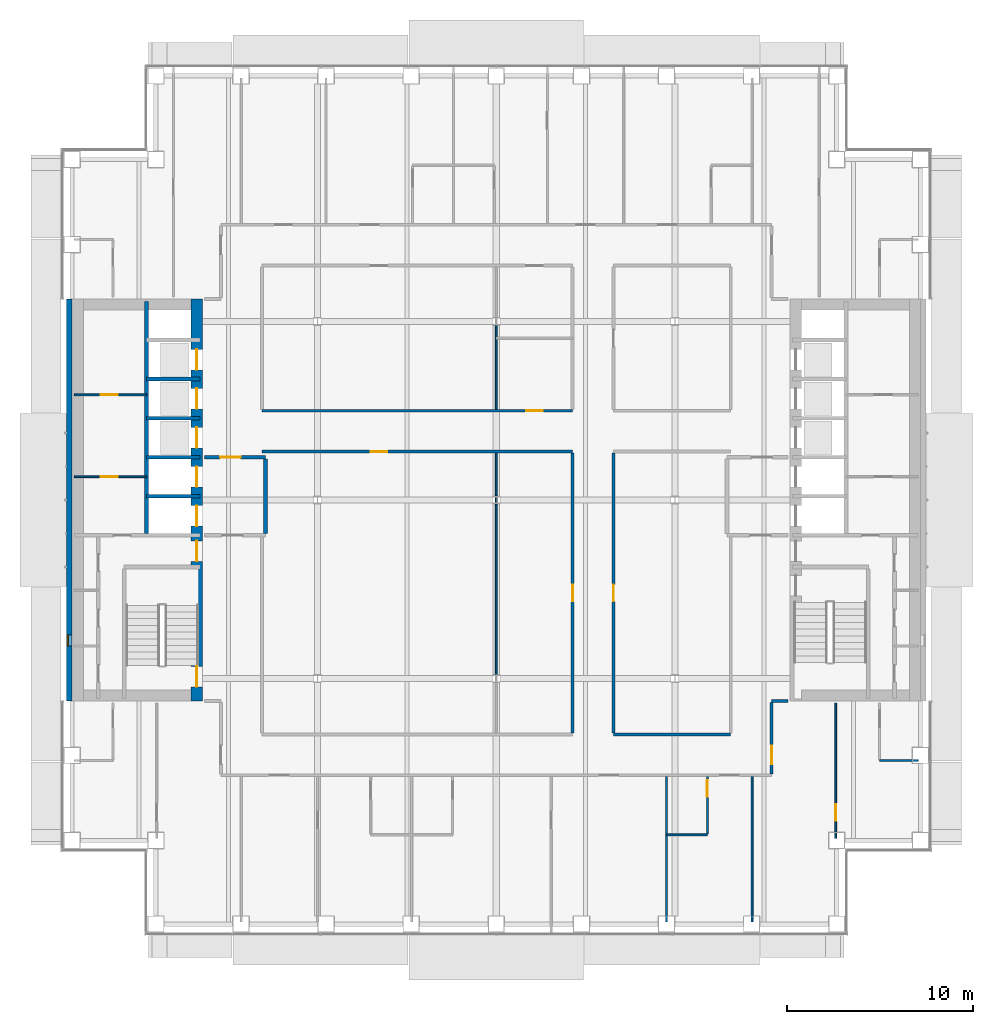
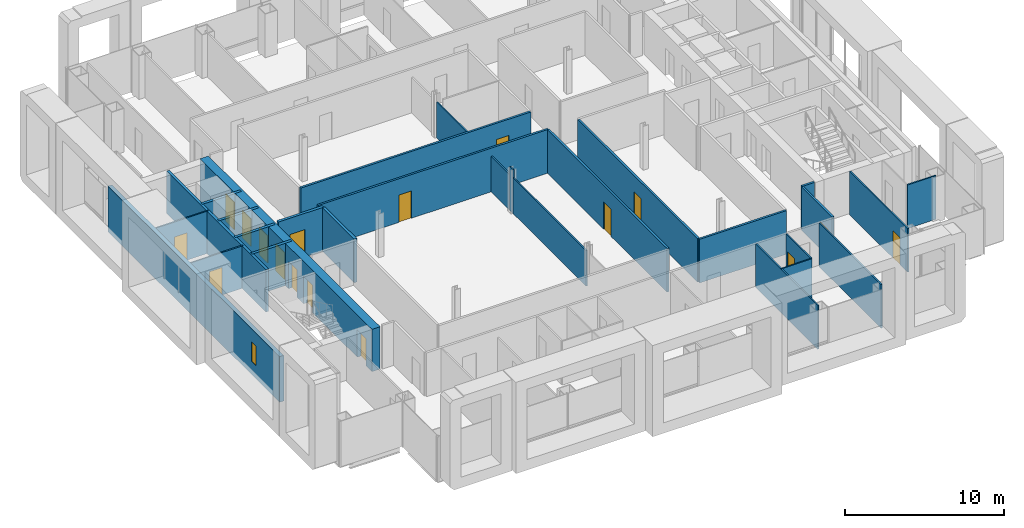
# One storey, part 11 of 20: 28 walls, 17 doors, 1 window, 18 openings.
"""IFC4 building model written with IfcOpenShell, lengths in metres."""

import ifcopenshell
import ifcopenshell.guid

model = None  # the IFC model being written
_history = None  # IfcOwnerHistory: only IFC2X3 demands one
_inside = {}  # id of a spatial element -> (the spatial element, [elements in it])
_under = {}  # id of a project, library or spatial element -> (it, [spatial elements below it])
_declared = {}  # id of a project -> (the project, [libraries it declares])
_typed = {}  # id of a type object -> (the type object, [elements of that type])
_made_of = {}  # id of a material, layer set ... -> (it, [elements and type objects made of it])


def new_model(schema):
    """Start an empty IFC model of exactly this schema.

    Asked for "IFC4X3", IfcOpenShell would pick the latest addendum, in which some entities
    have other attributes; the version numbers below select the first issue.
    IFC2X3 requires an IfcOwnerHistory on every rooted entity: one is made here for all.
    """
    global model, _history
    if schema == "IFC4X3":
        model = ifcopenshell.file(schema_version=(4, 3, 0, 0))
    else:
        model = ifcopenshell.file(schema=schema)
    _inside.clear()
    _under.clear()
    _declared.clear()
    _typed.clear()
    _made_of.clear()
    _history = None
    if model.schema == "IFC2X3":
        org = make("IfcOrganization", Name="unknown")
        user = make(
            "IfcPersonAndOrganization",
            ThePerson=make("IfcPerson", FamilyName="unknown"),
            TheOrganization=org,
        )
        app = make(
            "IfcApplication",
            ApplicationDeveloper=org,
            Version="unknown",
            ApplicationFullName="unknown",
            ApplicationIdentifier="unknown",
        )
        _history = make(
            "IfcOwnerHistory",
            OwningUser=user,
            OwningApplication=app,
            ChangeAction="ADDED",
            CreationDate=0,
        )
    return model


def make(cls, **values):
    """One entity of the class cls with the attributes given. An attribute that is None is left unset."""
    return model.create_entity(
        cls, **{name: value for name, value in values.items() if value is not None}
    )


def rooted(cls, **values):
    """An entity with a GlobalId (a new one), such as an element, a storey or a relation."""
    return make(cls, GlobalId=ifcopenshell.guid.new(), OwnerHistory=_history, **values)


def si_unit(unit_type, name, prefix=None):
    """IfcSIUnit, for example si_unit("LENGTHUNIT", "METRE", prefix="MILLI")."""
    return make("IfcSIUnit", UnitType=unit_type, Prefix=prefix, Name=name)


def assignment(units):
    """IfcUnitAssignment: the units of a project."""
    return None if units is None else make("IfcUnitAssignment", Units=units)


def point(xyz):
    """IfcCartesianPoint."""
    return None if xyz is None else make("IfcCartesianPoint", Coordinates=xyz)


def direction(xyz):
    """IfcDirection."""
    return None if xyz is None else make("IfcDirection", DirectionRatios=xyz)


def frame(location, z_axis=None, x_axis=None):
    """IfcAxis2Placement3D, a coordinate frame: its origin and axes. An axis left out is left unset."""
    return make(
        "IfcAxis2Placement3D",
        Location=point(location),
        Axis=direction(z_axis),
        RefDirection=direction(x_axis),
    )


def frame_2d(location, x_axis=None):
    """IfcAxis2Placement2D, a coordinate frame in the plane: its origin and x axis."""
    return make(
        "IfcAxis2Placement2D", Location=point(location), RefDirection=direction(x_axis)
    )


def origin():
    """The frame at (0, 0, 0) with its axes left unset."""
    return frame((0.0, 0.0, 0.0))


def place(relative_to, where):
    """IfcLocalPlacement: puts the frame where relative to a parent placement (None: the world)."""
    return make(
        "IfcLocalPlacement", PlacementRelTo=relative_to, RelativePlacement=where
    )


def context(
    kind, dimensions, precision=None, world=None, true_north=None, identifier=None
):
    """IfcGeometricRepresentationContext, for example the 3D "Model" context."""
    return make(
        "IfcGeometricRepresentationContext",
        ContextIdentifier=identifier,
        ContextType=kind,
        CoordinateSpaceDimension=dimensions,
        Precision=precision,
        WorldCoordinateSystem=world,
        TrueNorth=true_north,
    )


def subcontext(parent, identifier, kind, view, scale=None):
    """IfcGeometricRepresentationSubContext, for example "Body" below "Model"."""
    return make(
        "IfcGeometricRepresentationSubContext",
        ContextIdentifier=identifier,
        ContextType=kind,
        ParentContext=parent,
        TargetScale=scale,
        TargetView=view,
    )


def project(units=None, contexts=None):
    """IfcProject with its units and contexts."""
    return rooted(
        "IfcProject",
        Name="project",
        RepresentationContexts=contexts,
        UnitsInContext=assignment(units),
    )


def spatial(cls, under=None, at=None, **own):
    """A site, building, storey or space (cls), placed at a placement, below another one or the project."""
    s = rooted(cls, ObjectPlacement=at, **own)
    if under is not None:
        _under.setdefault(under.id(), (under, []))[1].append(s)
    return s


def profile(cls, at=None, kind="AREA", **sizes):
    """A parametric profile (cls). Its sizes go by their IFC names, for example OverallWidth=200.0."""
    return make(cls, ProfileType=kind, Position=at, **sizes)


def rectangle(**sizes):
    """IfcRectangleProfileDef."""
    return profile("IfcRectangleProfileDef", **sizes)


def extrude(swept, where, along, depth):
    """IfcExtrudedAreaSolid: the profile swept, set in the frame where, extruded along a direction by depth."""
    return make(
        "IfcExtrudedAreaSolid",
        SweptArea=swept,
        Position=where,
        ExtrudedDirection=direction(along),
        Depth=depth,
    )


def shape(context_of_items, identifier, shape_type, items):
    """IfcShapeRepresentation: the items that make up one representation, for example the "Body"."""
    return make(
        "IfcShapeRepresentation",
        ContextOfItems=context_of_items,
        RepresentationIdentifier=identifier,
        RepresentationType=shape_type,
        Items=items,
    )


def material(Name=None, Category=None):
    """IfcMaterial."""
    return make("IfcMaterial", Name=Name, Category=Category)


def layer(
    of_material, thickness, ventilated=None, Name=None, Category=None, Priority=None
):
    """IfcMaterialLayer: one layer of a wall or slab, of a material (None: an air gap)."""
    return make(
        "IfcMaterialLayer",
        Material=of_material,
        LayerThickness=thickness,
        IsVentilated=ventilated,
        Name=Name,
        Category=Category,
        Priority=Priority,
    )


def layer_set(layers, Name=None):
    """IfcMaterialLayerSet."""
    return make("IfcMaterialLayerSet", MaterialLayers=layers, LayerSetName=Name)


def made_of(thing, what):
    """Note that an element or type object is made of a material, layer set ...; save() writes the relation."""
    if what is not None:
        _made_of.setdefault(what.id(), (what, []))[1].append(thing)
    return thing


def type_object(cls, material=None, **own):
    """A type object (cls), such as IfcWallType, which elements share."""
    return made_of(rooted(cls, **own), material)


def element(
    cls,
    number,
    at=None,
    inside=None,
    cuts=None,
    type_object=None,
    material=None,
    context=None,
    identifier="Body",
    shape_type=None,
    held_by="IfcProductDefinitionShape",
    body=None,
    shapes=None,
    **own,
):
    """One element of the class cls, such as IfcWall. Its Tag is "e" and its number.

    at: its placement. inside: the storey or other place that contains it. cuts: it is an
    opening in that element (IfcRelVoidsElement). A single representation is given by context,
    identifier, shape_type and body (its items); several are given by shapes. held_by: the class
    of the entity that holds the representations. save() writes the other relations.
    """
    e = rooted(cls, Tag="e%d" % number, ObjectPlacement=at, **own)
    if body is not None:
        shapes = [shape(context, identifier, shape_type, body)]
    if shapes is not None:
        e.Representation = make(held_by, Representations=shapes)
    if inside is not None:
        _inside.setdefault(inside.id(), (inside, []))[1].append(e)
    if cuts is not None:
        rooted(
            "IfcRelVoidsElement", RelatingBuildingElement=cuts, RelatedOpeningElement=e
        )
    if type_object is not None:
        _typed.setdefault(type_object.id(), (type_object, []))[1].append(e)
    return made_of(e, material)


def fill(opening, filler):
    """IfcRelFillsElement: the door or window that sits in an opening."""
    return rooted(
        "IfcRelFillsElement",
        RelatingOpeningElement=opening,
        RelatedBuildingElement=filler,
    )


def aggregate(whole, parts):
    """IfcRelAggregates: a whole, such as a stair, and the parts it consists of."""
    return rooted("IfcRelAggregates", RelatingObject=whole, RelatedObjects=parts)


def save(model, path):
    """Write the relations noted so far, then the file.

    IfcRelAggregates (storeys below a building ...), IfcRelContainedInSpatialStructure (elements
    in a storey), IfcRelDefinesByType, IfcRelAssociatesMaterial and IfcRelDeclares: one each for
    every whole, place, type object, material and project.
    """
    for whole, parts in _under.values():
        aggregate(whole, parts)
    for where, things in _inside.values():
        rooted(
            "IfcRelContainedInSpatialStructure",
            RelatedElements=things,
            RelatingStructure=where,
        )
    for kind, things in _typed.values():
        rooted("IfcRelDefinesByType", RelatedObjects=things, RelatingType=kind)
    for what, things in _made_of.values():
        rooted("IfcRelAssociatesMaterial", RelatedObjects=things, RelatingMaterial=what)
    for by, libraries in _declared.values():
        rooted("IfcRelDeclares", RelatingContext=by, RelatedDefinitions=libraries)
    model.write(path)


model = new_model("IFC4")

# Units and contexts
model_context = context("Model", 3, precision=1e-05, world=origin(), true_north=direction((0.0, 1.0)))
body_context = subcontext(model_context, "Body", "Model", "MODEL_VIEW")
ifc_project = project(units=[si_unit("LENGTHUNIT", "METRE"), si_unit("AREAUNIT", "SQUARE_METRE"), si_unit("VOLUMEUNIT", "CUBIC_METRE"), si_unit("PLANEANGLEUNIT", "RADIAN"), si_unit("MASSUNIT", "GRAM", prefix="KILO")], contexts=[model_context])

# Site, building, storey
site_placement = place(None, origin())
site = spatial("IfcSite", under=ifc_project, at=site_placement, CompositionType="ELEMENT")
building_placement = place(site_placement, origin())
building = spatial("IfcBuilding", under=site, at=building_placement, Name="Cobrizo Arcos Hotel Tower", CompositionType="ELEMENT")
storey_placement = place(building_placement, frame((0.0, 0.0, 110.0)))
storey = spatial("IfcBuildingStorey", under=building, at=storey_placement, Name="L27", CompositionType="ELEMENT", Elevation=110.0)

# Walls
ifc_material_1 = material(Name="Gypsum board partition")
ifc_layer_1 = layer(ifc_material_1, 0.14990234375)
ifc_layer_set_1 = layer_set([ifc_layer_1], Name="Corridor wall EI 60 150")
wall_type_1 = type_object("IfcWallType", Name="Corridor wall EI 60 150", PredefinedType="PARTITIONING", material=ifc_layer_set_1)
wall_1_placement = place(storey_placement, frame((6.300048828125, -12.60009765625, 0.0), z_axis=(0.0, 0.0, 1.0), x_axis=(1.0, 0.0, 0.0)))
element("IfcWall", 1, at=wall_1_placement, inside=storey, type_object=wall_type_1, Name="Partition 007", PredefinedType="PARTITIONING", context=body_context, shape_type="SweptSolid", body=[
    extrude(rectangle(XDim=6.300048828125, YDim=0.14990234375, at=frame_2d((3.14990234375, 0.0))), origin(), (0.0, 0.0, 1.0), 3.35009765625),
])
wall_2_placement = place(storey_placement, frame((14.800048828125, -10.800048828125, 0.0), z_axis=(0.0, 0.0, 1.0), x_axis=(1.0, 0.0, 0.0)))
element("IfcWall", 2, at=wall_2_placement, inside=storey, type_object=wall_type_1, Name="Partition 009", PredefinedType="PARTITIONING", context=body_context, shape_type="SweptSolid", body=[
    extrude(rectangle(XDim=0.8798828125, YDim=0.14990234375, at=frame_2d((0.43994140625, 0.0))), origin(), (0.0, 0.0, 1.0), 3.35009765625),
])

# Wall, opening, door
wall_3_placement = place(storey_placement, frame((-12.60009765625, 2.60009765625, 0.0), z_axis=(0.0, 0.0, 1.0), x_axis=(1.0, 0.0, 0.0)))
wall_3 = element("IfcWall", 3, at=wall_3_placement, inside=storey, type_object=wall_type_1, Name="Partition 028", PredefinedType="PARTITIONING", context=body_context, shape_type="SweptSolid", body=[
    extrude(rectangle(XDim=16.7001953125, YDim=0.14990234375, at=frame_2d((8.35009765625, 0.0))), origin(), (0.0, 0.0, 1.0), 3.35009765625),
])
opening_1_placement = place(wall_3_placement, frame((5.85009765625, 0.0, 0.0)))
opening_1 = element("IfcOpeningElement", 4, at=opening_1_placement, cuts=wall_3, Name="Opening RD-23", PredefinedType="OPENING", context=body_context, shape_type="SweptSolid", body=[
    extrude(rectangle(XDim=0.89990234375, YDim=2.10009765625, at=frame_2d((0.449951171875, 1.050048828125))), frame((0.0, 0.0869140625, 0.0), z_axis=(0.0, -1.0, 0.0), x_axis=(1.0, 0.0, 0.0)), (0.0, 0.0, 1.0), 0.173828125),
])
ifc_material_2 = material(Name="Timber door leaf", Category="wood")
door_type_1 = type_object("IfcDoorType", Name="Room door FD30 900x2100", OperationType="SINGLE_SWING_LEFT", PredefinedType="DOOR", material=ifc_material_2)
door_1_placement = place(opening_1_placement, origin())
door_1 = element("IfcDoor", 5, at=door_1_placement, inside=storey, type_object=door_type_1, Name="Door RD-23", OperationType="SINGLE_SWING_LEFT", OverallHeight=2.10009765625, OverallWidth=0.89990234375, PredefinedType="DOOR", context=body_context, shape_type="SweptSolid", body=[
    extrude(rectangle(XDim=0.89990234375, YDim=2.10009765625, at=frame_2d((0.449951171875, 1.050048828125))), frame((0.0, 0.02490234375, 0.0), z_axis=(0.0, -1.0, 0.0), x_axis=(1.0, 0.0, 0.0)), (0.0, 0.0, 1.0), 0.050048828125),
])
fill(opening_1, door_1)

wall_4_placement = place(storey_placement, frame((-12.60009765625, 4.800048828125, 0.0), z_axis=(0.0, 0.0, 1.0), x_axis=(1.0, 0.0, 0.0)))
wall_4 = element("IfcWall", 6, at=wall_4_placement, inside=storey, type_object=wall_type_1, Name="Partition 032", PredefinedType="PARTITIONING", context=body_context, shape_type="SweptSolid", body=[
    extrude(rectangle(XDim=16.7001953125, YDim=0.14990234375, at=frame_2d((8.35009765625, 0.0))), origin(), (0.0, 0.0, 1.0), 3.35009765625),
])
opening_2_placement = place(wall_4_placement, frame((14.199951171875, 0.0, 0.0)))
opening_2 = element("IfcOpeningElement", 7, at=opening_2_placement, cuts=wall_4, Name="Opening ED-13", PredefinedType="OPENING", context=body_context, shape_type="SweptSolid", body=[
    extrude(rectangle(XDim=0.89990234375, YDim=2.10009765625, at=frame_2d((0.449951171875, 1.050048828125))), frame((0.0, 0.0869140625, 0.0), z_axis=(0.0, -1.0, 0.0), x_axis=(1.0, 0.0, 0.0)), (0.0, 0.0, 1.0), 0.173828125),
])
door_type_2 = type_object("IfcDoorType", Name="En-suite door 900x2100", OperationType="SINGLE_SWING_LEFT", PredefinedType="DOOR", material=ifc_material_2)
door_2_placement = place(opening_2_placement, origin())
door_2 = element("IfcDoor", 8, at=door_2_placement, inside=storey, type_object=door_type_2, Name="Door ED-13", OperationType="SINGLE_SWING_RIGHT", OverallHeight=2.10009765625, OverallWidth=0.89990234375, PredefinedType="DOOR", context=body_context, shape_type="SweptSolid", body=[
    extrude(rectangle(XDim=0.89990234375, YDim=2.10009765625, at=frame_2d((0.449951171875, 1.050048828125))), frame((0.0, 0.02490234375, 0.0), z_axis=(0.0, -1.0, 0.0), x_axis=(1.0, 0.0, 0.0)), (0.0, 0.0, 1.0), 0.050048828125),
])
fill(opening_2, door_2)

wall_5_placement = place(storey_placement, frame((4.10009765625, -12.52490234375, 0.0), z_axis=(0.0, 0.0, 1.0), x_axis=(0.0, 1.0, 0.0)))
wall_5 = element("IfcWall", 9, at=wall_5_placement, inside=storey, type_object=wall_type_1, Name="Partition 085", PredefinedType="PARTITIONING", context=body_context, shape_type="SweptSolid", body=[
    extrude(rectangle(XDim=15.0498046875, YDim=0.14990234375, at=frame_2d((7.52490234375, 0.0))), origin(), (0.0, 0.0, 1.0), 3.35009765625),
])
opening_3_placement = place(wall_5_placement, frame((7.074951171875, 0.0, 0.0)))
opening_3 = element("IfcOpeningElement", 10, at=opening_3_placement, cuts=wall_5, Name="Opening RD-20", PredefinedType="OPENING", context=body_context, shape_type="SweptSolid", body=[
    extrude(rectangle(XDim=0.89990234375, YDim=2.10009765625, at=frame_2d((0.449951171875, 1.050048828125))), frame((0.0, 0.0869140625, 0.0), z_axis=(0.0, -1.0, 0.0), x_axis=(1.0, 0.0, 0.0)), (0.0, 0.0, 1.0), 0.173828125),
])
door_3_placement = place(opening_3_placement, origin())
door_3 = element("IfcDoor", 11, at=door_3_placement, inside=storey, type_object=door_type_1, Name="Door RD-20", OperationType="SINGLE_SWING_LEFT", OverallHeight=2.10009765625, OverallWidth=0.89990234375, PredefinedType="DOOR", context=body_context, shape_type="SweptSolid", body=[
    extrude(rectangle(XDim=0.89990234375, YDim=2.10009765625, at=frame_2d((0.449951171875, 1.050048828125))), frame((0.0, 0.02490234375, 0.0), z_axis=(0.0, -1.0, 0.0), x_axis=(1.0, 0.0, 0.0)), (0.0, 0.0, 1.0), 0.050048828125),
])
fill(opening_3, door_3)

wall_6_placement = place(storey_placement, frame((6.300048828125, -12.52490234375, 0.0), z_axis=(0.0, 0.0, 1.0), x_axis=(0.0, 1.0, 0.0)))
wall_6 = element("IfcWall", 12, at=wall_6_placement, inside=storey, type_object=wall_type_1, Name="Partition 087", PredefinedType="PARTITIONING", context=body_context, shape_type="SweptSolid", body=[
    extrude(rectangle(XDim=15.0498046875, YDim=0.14990234375, at=frame_2d((7.52490234375, 0.0))), origin(), (0.0, 0.0, 1.0), 3.35009765625),
])
opening_4_placement = place(wall_6_placement, frame((7.074951171875, 0.0, 0.0)))
opening_4 = element("IfcOpeningElement", 13, at=opening_4_placement, cuts=wall_6, Name="Opening RD-21", PredefinedType="OPENING", context=body_context, shape_type="SweptSolid", body=[
    extrude(rectangle(XDim=0.89990234375, YDim=2.10009765625, at=frame_2d((0.449951171875, 1.050048828125))), frame((0.0, 0.0869140625, 0.0), z_axis=(0.0, -1.0, 0.0), x_axis=(1.0, 0.0, 0.0)), (0.0, 0.0, 1.0), 0.173828125),
])
door_4_placement = place(opening_4_placement, origin())
door_4 = element("IfcDoor", 14, at=door_4_placement, inside=storey, type_object=door_type_1, Name="Door RD-21", OperationType="SINGLE_SWING_RIGHT", OverallHeight=2.10009765625, OverallWidth=0.89990234375, PredefinedType="DOOR", context=body_context, shape_type="SweptSolid", body=[
    extrude(rectangle(XDim=0.89990234375, YDim=2.10009765625, at=frame_2d((0.449951171875, 1.050048828125))), frame((0.0, 0.02490234375, 0.0), z_axis=(0.0, -1.0, 0.0), x_axis=(1.0, 0.0, 0.0)), (0.0, 0.0, 1.0), 0.050048828125),
])
fill(opening_4, door_4)

wall_7_placement = place(storey_placement, frame((14.800048828125, -14.72509765625, 0.0), z_axis=(0.0, 0.0, 1.0), x_axis=(0.0, 1.0, 0.0)))
wall_7 = element("IfcWall", 15, at=wall_7_placement, inside=storey, type_object=wall_type_1, Name="Partition 098", PredefinedType="PARTITIONING", context=body_context, shape_type="SweptSolid", body=[
    extrude(rectangle(XDim=3.85009765625, YDim=0.14990234375, at=frame_2d((1.925048828125, 0.0))), origin(), (0.0, 0.0, 1.0), 3.35009765625),
])
opening_5_placement = place(wall_7_placement, frame((0.52490234375, 0.0, 0.0)))
opening_5 = element("IfcOpeningElement", 16, at=opening_5_placement, cuts=wall_7, Name="Opening GD-09", PredefinedType="OPENING", context=body_context, shape_type="SweptSolid", body=[
    extrude(rectangle(XDim=1.0, YDim=2.10009765625, at=frame_2d((0.5, 1.050048828125))), frame((0.0, 0.0869140625, 0.0), z_axis=(0.0, -1.0, 0.0), x_axis=(1.0, 0.0, 0.0)), (0.0, 0.0, 1.0), 0.173828125),
])
door_type_3 = type_object("IfcDoorType", Name="Guest room door FD30S 1000x2100", OperationType="SINGLE_SWING_LEFT", PredefinedType="DOOR", material=ifc_material_2)
door_5_placement = place(opening_5_placement, origin())
door_5 = element("IfcDoor", 17, at=door_5_placement, inside=storey, type_object=door_type_3, Name="Door GD-09", OperationType="SINGLE_SWING_LEFT", OverallHeight=2.10009765625, OverallWidth=1.0, PredefinedType="DOOR", context=body_context, shape_type="SweptSolid", body=[
    extrude(rectangle(XDim=1.0, YDim=2.10009765625, at=frame_2d((0.5, 1.050048828125))), frame((0.0, 0.02490234375, 0.0), z_axis=(0.0, -1.0, 0.0), x_axis=(1.0, 0.0, 0.0)), (0.0, 0.0, 1.0), 0.050048828125),
])
fill(opening_5, door_5)

# Wall, opening, window
ifc_material_3 = material(Name="Aluminium composite panel pale metal", Category="aluminium")
ifc_layer_2 = layer(ifc_material_3, 0.300048828125)
ifc_layer_set_2 = layer_set([ifc_layer_2], Name="EW-1 insulated panel wall 300")
wall_type_2 = type_object("IfcWallType", Name="EW-1 insulated panel wall 300", PredefinedType="SOLIDWALL", material=ifc_layer_set_2)
wall_8_placement = place(storey_placement, frame((-22.949951171875, 10.800048828125, 0.0), z_axis=(0.0, 0.0, 1.0), x_axis=(0.0, -1.0, 0.0)))
wall_8 = element("IfcWall", 18, at=wall_8_placement, inside=storey, type_object=wall_type_2, Name="Core face wall L27 W", PredefinedType="SOLIDWALL", context=body_context, shape_type="SweptSolid", body=[
    extrude(rectangle(XDim=21.60009765625, YDim=0.300048828125, at=frame_2d((10.800048828125, 0.0))), origin(), (0.0, 0.0, 1.0), 3.5),
])
opening_6_placement = place(wall_8_placement, frame((18.050048828125, 0.0, 1.0)))
opening_6 = element("IfcOpeningElement", 19, at=opening_6_placement, cuts=wall_8, Name="Opening W-56", PredefinedType="OPENING", context=body_context, shape_type="SweptSolid", body=[
    extrude(rectangle(XDim=0.60009765625, YDim=1.5, at=frame_2d((0.300048828125, 0.75))), frame((0.0, 0.162109375, 0.0), z_axis=(0.0, -1.0, 0.0), x_axis=(1.0, 0.0, 0.0)), (0.0, 0.0, 1.0), 0.323974609375),
])
ifc_material_4 = material(Name="Aluminium 6063-T6 and clear laminated glass", Category="aluminium")
window_type = type_object("IfcWindowType", Name="W-C1 core stair slot window 600x1500", PartitioningType="SINGLE_PANEL", PredefinedType="WINDOW", material=ifc_material_4)
window_placement = place(opening_6_placement, origin())
window = element("IfcWindow", 20, at=window_placement, inside=storey, type_object=window_type, Name="Core face wall L27 W window W-56", OverallHeight=1.5, OverallWidth=0.60009765625, PartitioningType="SINGLE_PANEL", PredefinedType="WINDOW", context=body_context, shape_type="SweptSolid", body=[
    extrude(rectangle(XDim=0.60009765625, YDim=1.5, at=frame_2d((0.300048828125, 0.75))), frame((0.0, -0.06005859375, 0.0), z_axis=(0.0, -1.0, 0.0), x_axis=(1.0, 0.0, 0.0)), (0.0, 0.0, 1.0), 0.06005859375),
])
fill(opening_6, window)

# Walls
ifc_layer_3 = layer(ifc_material_1, 0.10009765625)
ifc_layer_set_3 = layer_set([ifc_layer_3], Name="Partition EI 30 100")
wall_type_3 = type_object("IfcWallType", Name="Partition EI 30 100", PredefinedType="PARTITIONING", material=ifc_layer_set_3)
wall_9_placement = place(storey_placement, frame((9.14990234375, -18.0, 0.0), z_axis=(0.0, 0.0, 1.0), x_axis=(1.0, 0.0, 0.0)))
element("IfcWall", 21, at=wall_9_placement, inside=storey, type_object=wall_type_3, Name="Partition 002", PredefinedType="PARTITIONING", context=body_context, shape_type="SweptSolid", body=[
    extrude(rectangle(XDim=2.2001953125, YDim=0.10009765625, at=frame_2d((1.10009765625, 0.0))), origin(), (0.0, 0.0, 1.0), 3.35009765625),
])
wall_10_placement = place(storey_placement, frame((20.60009765625, -14.0, 0.0), z_axis=(0.0, 0.0, 1.0), x_axis=(1.0, 0.0, 0.0)))
element("IfcWall", 22, at=wall_10_placement, inside=storey, type_object=wall_type_3, Name="Partition 005", PredefinedType="PARTITIONING", context=body_context, shape_type="SweptSolid", body=[
    extrude(rectangle(XDim=2.079833984375, YDim=0.10009765625, at=frame_2d((1.0400390625, 0.0))), origin(), (0.0, 0.0, 1.0), 3.35009765625),
])

# Wall, opening, door
wall_11_placement = place(storey_placement, frame((-22.679931640625, 1.25, 0.0), z_axis=(0.0, 0.0, 1.0), x_axis=(1.0, 0.0, 0.0)))
wall_11 = element("IfcWall", 23, at=wall_11_placement, inside=storey, type_object=wall_type_3, Name="Partition 022", PredefinedType="PARTITIONING", context=body_context, shape_type="SweptSolid", body=[
    extrude(rectangle(XDim=3.8798828125, YDim=0.10009765625, at=frame_2d((1.93994140625, 0.0))), origin(), (0.0, 0.0, 1.0), 3.25),
])
opening_7_placement = place(wall_11_placement, frame((1.429931640625, 0.0, 0.0)))
opening_7 = element("IfcOpeningElement", 24, at=opening_7_placement, cuts=wall_11, Name="Opening RD-04", PredefinedType="OPENING", context=body_context, shape_type="SweptSolid", body=[
    extrude(rectangle(XDim=0.89990234375, YDim=2.10009765625, at=frame_2d((0.449951171875, 1.050048828125))), frame((0.0, 0.06201171875, 0.0), z_axis=(0.0, -1.0, 0.0), x_axis=(1.0, 0.0, 0.0)), (0.0, 0.0, 1.0), 0.1240234375),
])
door_6_placement = place(opening_7_placement, origin())
door_6 = element("IfcDoor", 25, at=door_6_placement, inside=storey, type_object=door_type_1, Name="Door RD-04", OperationType="SINGLE_SWING_LEFT", OverallHeight=2.10009765625, OverallWidth=0.89990234375, PredefinedType="DOOR", context=body_context, shape_type="SweptSolid", body=[
    extrude(rectangle(XDim=0.89990234375, YDim=2.10009765625, at=frame_2d((0.449951171875, 1.050048828125))), frame((0.0, 0.02490234375, 0.0), z_axis=(0.0, -1.0, 0.0), x_axis=(1.0, 0.0, 0.0)), (0.0, 0.0, 1.0), 0.050048828125),
])
fill(opening_7, door_6)

wall_12_placement = place(storey_placement, frame((-22.679931640625, 5.64990234375, 0.0), z_axis=(0.0, 0.0, 1.0), x_axis=(1.0, 0.0, 0.0)))
wall_12 = element("IfcWall", 26, at=wall_12_placement, inside=storey, type_object=wall_type_3, Name="Partition 034", PredefinedType="PARTITIONING", context=body_context, shape_type="SweptSolid", body=[
    extrude(rectangle(XDim=3.8798828125, YDim=0.10009765625, at=frame_2d((1.93994140625, 0.0))), origin(), (0.0, 0.0, 1.0), 3.25),
])
opening_8_placement = place(wall_12_placement, frame((1.429931640625, 0.0, 0.0)))
opening_8 = element("IfcOpeningElement", 27, at=opening_8_placement, cuts=wall_12, Name="Opening RD-05", PredefinedType="OPENING", context=body_context, shape_type="SweptSolid", body=[
    extrude(rectangle(XDim=0.89990234375, YDim=2.10009765625, at=frame_2d((0.449951171875, 1.050048828125))), frame((0.0, 0.06201171875, 0.0), z_axis=(0.0, -1.0, 0.0), x_axis=(1.0, 0.0, 0.0)), (0.0, 0.0, 1.0), 0.1240234375),
])
door_7_placement = place(opening_8_placement, origin())
door_7 = element("IfcDoor", 28, at=door_7_placement, inside=storey, type_object=door_type_1, Name="Door RD-05", OperationType="SINGLE_SWING_RIGHT", OverallHeight=2.10009765625, OverallWidth=0.89990234375, PredefinedType="DOOR", context=body_context, shape_type="SweptSolid", body=[
    extrude(rectangle(XDim=0.89990234375, YDim=2.10009765625, at=frame_2d((0.449951171875, 1.050048828125))), frame((0.0, 0.02490234375, 0.0), z_axis=(0.0, -1.0, 0.0), x_axis=(1.0, 0.0, 0.0)), (0.0, 0.0, 1.0), 0.050048828125),
])
fill(opening_8, door_7)

# Walls
wall_13_placement = place(storey_placement, frame((0.0, -9.40087890625, 0.0), z_axis=(0.0, 0.0, 1.0), x_axis=(0.0, 1.0, 0.0)))
element("IfcWall", 29, at=wall_13_placement, inside=storey, type_object=wall_type_3, Name="Partition 077", PredefinedType="PARTITIONING", context=body_context, shape_type="SweptSolid", body=[
    extrude(rectangle(XDim=9.201904296875, YDim=0.10009765625, at=frame_2d((4.60107421875, 0.0))), origin(), (0.0, 0.0, 1.0), 2.72802734375),
])
wall_14_placement = place(storey_placement, frame((0.0, -0.198974609375, 0.0), z_axis=(0.0, 0.0, 1.0), x_axis=(0.0, 1.0, 0.0)))
element("IfcWall", 30, at=wall_14_placement, inside=storey, type_object=wall_type_3, Name="Partition 078", PredefinedType="PARTITIONING", context=body_context, shape_type="SweptSolid", body=[
    extrude(rectangle(XDim=0.39794921875, YDim=0.10009765625, at=frame_2d((0.198974609375, 0.0))), origin(), (0.0, 0.0, 1.0), 3.35009765625),
])
wall_15_placement = place(storey_placement, frame((0.0, 0.198974609375, 0.0), z_axis=(0.0, 0.0, 1.0), x_axis=(0.0, 1.0, 0.0)))
element("IfcWall", 31, at=wall_15_placement, inside=storey, type_object=wall_type_3, Name="Partition 079", PredefinedType="PARTITIONING", context=body_context, shape_type="SweptSolid", body=[
    extrude(rectangle(XDim=2.325927734375, YDim=0.10009765625, at=frame_2d((1.1630859375, 0.0))), origin(), (0.0, 0.0, 1.0), 2.72802734375),
])
wall_16_placement = place(storey_placement, frame((0.0, 4.875, 0.0), z_axis=(0.0, 0.0, 1.0), x_axis=(0.0, 1.0, 0.0)))
element("IfcWall", 32, at=wall_16_placement, inside=storey, type_object=wall_type_3, Name="Partition 080", PredefinedType="PARTITIONING", context=body_context, shape_type="SweptSolid", body=[
    extrude(rectangle(XDim=4.52587890625, YDim=0.10009765625, at=frame_2d((2.262939453125, 0.0))), origin(), (0.0, 0.0, 1.0), 2.72802734375),
])
wall_17_placement = place(storey_placement, frame((9.14990234375, -22.679931640625, 0.0), z_axis=(0.0, 0.0, 1.0), x_axis=(0.0, 1.0, 0.0)))
element("IfcWall", 33, at=wall_17_placement, inside=storey, type_object=wall_type_3, Name="Partition 090", PredefinedType="PARTITIONING", context=body_context, shape_type="SweptSolid", body=[
    extrude(rectangle(XDim=7.804931640625, YDim=0.10009765625, at=frame_2d((3.90234375, 0.0))), origin(), (0.0, 0.0, 1.0), 3.35009765625),
])

# Wall, opening, door
wall_18_placement = place(storey_placement, frame((11.35009765625, -17.949951171875, 0.0), z_axis=(0.0, 0.0, 1.0), x_axis=(0.0, 1.0, 0.0)))
wall_18 = element("IfcWall", 34, at=wall_18_placement, inside=storey, type_object=wall_type_3, Name="Partition 091", PredefinedType="PARTITIONING", context=body_context, shape_type="SweptSolid", body=[
    extrude(rectangle(XDim=3.074951171875, YDim=0.10009765625, at=frame_2d((1.53759765625, 0.0))), origin(), (0.0, 0.0, 1.0), 3.35009765625),
])
opening_9_placement = place(wall_18_placement, frame((1.99609375, 0.0, 0.0)))
opening_9 = element("IfcOpeningElement", 35, at=opening_9_placement, cuts=wall_18, Name="Opening ED-08", PredefinedType="OPENING", context=body_context, shape_type="SweptSolid", body=[
    extrude(rectangle(XDim=0.89990234375, YDim=2.10009765625, at=frame_2d((0.449951171875, 1.050048828125))), frame((0.0, 0.06201171875, 0.0), z_axis=(0.0, -1.0, 0.0), x_axis=(1.0, 0.0, 0.0)), (0.0, 0.0, 1.0), 0.1240234375),
])
door_8_placement = place(opening_9_placement, origin())
door_8 = element("IfcDoor", 36, at=door_8_placement, inside=storey, type_object=door_type_2, Name="Door ED-08", OperationType="SINGLE_SWING_RIGHT", OverallHeight=2.10009765625, OverallWidth=0.89990234375, PredefinedType="DOOR", context=body_context, shape_type="SweptSolid", body=[
    extrude(rectangle(XDim=0.89990234375, YDim=2.10009765625, at=frame_2d((0.449951171875, 1.050048828125))), frame((0.0, 0.02490234375, 0.0), z_axis=(0.0, -1.0, 0.0), x_axis=(1.0, 0.0, 0.0)), (0.0, 0.0, 1.0), 0.050048828125),
])
fill(opening_9, door_8)

# Wall
wall_19_placement = place(storey_placement, frame((13.75, -22.679931640625, 0.0), z_axis=(0.0, 0.0, 1.0), x_axis=(0.0, 1.0, 0.0)))
element("IfcWall", 37, at=wall_19_placement, inside=storey, type_object=wall_type_3, Name="Partition 096", PredefinedType="PARTITIONING", context=body_context, shape_type="SweptSolid", body=[
    extrude(rectangle(XDim=7.804931640625, YDim=0.10009765625, at=frame_2d((3.90234375, 0.0))), origin(), (0.0, 0.0, 1.0), 3.35009765625),
])

# Wall, opening, door
wall_20_placement = place(storey_placement, frame((18.25, -18.19091796875, 0.0), z_axis=(0.0, 0.0, 1.0), x_axis=(0.0, 1.0, 0.0)))
wall_20 = element("IfcWall", 38, at=wall_20_placement, inside=storey, type_object=wall_type_3, Name="Partition 101", PredefinedType="PARTITIONING", context=body_context, shape_type="SweptSolid", body=[
    extrude(rectangle(XDim=7.27099609375, YDim=0.10009765625, at=frame_2d((3.635498046875, 0.0))), origin(), (0.0, 0.0, 1.0), 3.35009765625),
])
opening_10_placement = place(wall_20_placement, frame((0.94091796875, 0.0, 0.0)))
opening_10 = element("IfcOpeningElement", 39, at=opening_10_placement, cuts=wall_20, Name="Opening RD-17", PredefinedType="OPENING", context=body_context, shape_type="SweptSolid", body=[
    extrude(rectangle(XDim=0.89990234375, YDim=2.10009765625, at=frame_2d((0.449951171875, 1.050048828125))), frame((0.0, 0.06201171875, 0.0), z_axis=(0.0, -1.0, 0.0), x_axis=(1.0, 0.0, 0.0)), (0.0, 0.0, 1.0), 0.1240234375),
])
door_9_placement = place(opening_10_placement, origin())
door_9 = element("IfcDoor", 40, at=door_9_placement, inside=storey, type_object=door_type_1, Name="Door RD-17", OperationType="SINGLE_SWING_RIGHT", OverallHeight=2.10009765625, OverallWidth=0.89990234375, PredefinedType="DOOR", context=body_context, shape_type="SweptSolid", body=[
    extrude(rectangle(XDim=0.89990234375, YDim=2.10009765625, at=frame_2d((0.449951171875, 1.050048828125))), frame((0.0, 0.02490234375, 0.0), z_axis=(0.0, -1.0, 0.0), x_axis=(1.0, 0.0, 0.0)), (0.0, 0.0, 1.0), 0.050048828125),
])
fill(opening_10, door_9)

# Wall, openings, doors
ifc_material_5 = material(Name="Concrete f'c 50 MPa", Category="concrete")
ifc_layer_4 = layer(ifc_material_5, 0.60009765625)
ifc_layer_set_4 = layer_set([ifc_layer_4], Name="RC core wall 600 f'c 50")
wall_type_4 = type_object("IfcWallType", Name="RC core wall 600 f'c 50", PredefinedType="SHEAR", material=ifc_layer_set_4)
wall_21_placement = place(storey_placement, frame((-16.10009765625, -10.800048828125, 0.0), z_axis=(0.0, 0.0, 1.0), x_axis=(0.0, 1.0, 0.0)))
wall_21 = element("IfcWall", 41, at=wall_21_placement, inside=storey, type_object=wall_type_4, Name="Core wall CW2, west core, inner face, L27", PredefinedType="SHEAR", context=body_context, shape_type="SweptSolid", body=[
    extrude(rectangle(XDim=21.60009765625, YDim=0.60009765625, at=frame_2d((10.800048828125, 0.0))), origin(), (0.0, 0.0, 1.0), 3.25),
])
opening_11_placement = place(wall_21_placement, frame((9.39990234375, 0.0, 0.0)))
opening_11 = element("IfcOpeningElement", 42, at=opening_11_placement, cuts=wall_21, Name="Opening LD-01", PredefinedType="OPENING", context=body_context, shape_type="SweptSolid", body=[
    extrude(rectangle(XDim=1.10009765625, YDim=2.10009765625, at=frame_2d((0.550048828125, 1.050048828125))), frame((0.0, 0.31201171875, 0.0), z_axis=(0.0, -1.0, 0.0), x_axis=(1.0, 0.0, 0.0)), (0.0, 0.0, 1.0), 0.6240234375),
])
opening_12_placement = place(wall_21_placement, frame((11.5, 0.0, 0.0)))
opening_12 = element("IfcOpeningElement", 43, at=opening_12_placement, cuts=wall_21, Name="Opening LD-02", PredefinedType="OPENING", context=body_context, shape_type="SweptSolid", body=[
    extrude(rectangle(XDim=1.10009765625, YDim=2.10009765625, at=frame_2d((0.550048828125, 1.050048828125))), frame((0.0, 0.31201171875, 0.0), z_axis=(0.0, -1.0, 0.0), x_axis=(1.0, 0.0, 0.0)), (0.0, 0.0, 1.0), 0.6240234375),
])
opening_13_placement = place(wall_21_placement, frame((13.60009765625, 0.0, 0.0)))
opening_13 = element("IfcOpeningElement", 44, at=opening_13_placement, cuts=wall_21, Name="Opening LD-03", PredefinedType="OPENING", context=body_context, shape_type="SweptSolid", body=[
    extrude(rectangle(XDim=1.10009765625, YDim=2.10009765625, at=frame_2d((0.550048828125, 1.050048828125))), frame((0.0, 0.31201171875, 0.0), z_axis=(0.0, -1.0, 0.0), x_axis=(1.0, 0.0, 0.0)), (0.0, 0.0, 1.0), 0.6240234375),
])
opening_14_placement = place(wall_21_placement, frame((15.699951171875, 0.0, 0.0)))
opening_14 = element("IfcOpeningElement", 45, at=opening_14_placement, cuts=wall_21, Name="Opening LD-04", PredefinedType="OPENING", context=body_context, shape_type="SweptSolid", body=[
    extrude(rectangle(XDim=1.10009765625, YDim=2.10009765625, at=frame_2d((0.550048828125, 1.050048828125))), frame((0.0, 0.31201171875, 0.0), z_axis=(0.0, -1.0, 0.0), x_axis=(1.0, 0.0, 0.0)), (0.0, 0.0, 1.0), 0.6240234375),
])
opening_15_placement = place(wall_21_placement, frame((17.800048828125, 0.0, 0.0)))
opening_15 = element("IfcOpeningElement", 46, at=opening_15_placement, cuts=wall_21, Name="Opening LD-05", PredefinedType="OPENING", context=body_context, shape_type="SweptSolid", body=[
    extrude(rectangle(XDim=1.10009765625, YDim=2.10009765625, at=frame_2d((0.550048828125, 1.050048828125))), frame((0.0, 0.31201171875, 0.0), z_axis=(0.0, -1.0, 0.0), x_axis=(1.0, 0.0, 0.0)), (0.0, 0.0, 1.0), 0.6240234375),
])
opening_16_placement = place(wall_21_placement, frame((0.758056640625, 0.0, 0.0)))
opening_16 = element("IfcOpeningElement", 47, at=opening_16_placement, cuts=wall_21, Name="Opening SD-01", PredefinedType="OPENING", context=body_context, shape_type="SweptSolid", body=[
    extrude(rectangle(XDim=1.10009765625, YDim=2.10009765625, at=frame_2d((0.550048828125, 1.050048828125))), frame((0.0, 0.31201171875, 0.0), z_axis=(0.0, -1.0, 0.0), x_axis=(1.0, 0.0, 0.0)), (0.0, 0.0, 1.0), 0.6240234375),
])
opening_17_placement = place(wall_21_placement, frame((7.5, 0.0, 0.0)))
opening_17 = element("IfcOpeningElement", 48, at=opening_17_placement, cuts=wall_21, Name="Opening FD-01", PredefinedType="OPENING", context=body_context, shape_type="SweptSolid", body=[
    extrude(rectangle(XDim=1.10009765625, YDim=2.10009765625, at=frame_2d((0.550048828125, 1.050048828125))), frame((0.0, 0.31201171875, 0.0), z_axis=(0.0, -1.0, 0.0), x_axis=(1.0, 0.0, 0.0)), (0.0, 0.0, 1.0), 0.6240234375),
])
ifc_material_6 = material(Name="Steel door leaf", Category="steel")
door_type_4 = type_object("IfcDoorType", Name="Fire door FD60 1100x2100", OperationType="SINGLE_SWING_LEFT", PredefinedType="DOOR", material=ifc_material_6)
door_10_placement = place(opening_17_placement, origin())
door_10 = element("IfcDoor", 49, at=door_10_placement, inside=storey, type_object=door_type_4, Name="Door FD-01", OperationType="SINGLE_SWING_LEFT", OverallHeight=2.10009765625, OverallWidth=1.10009765625, PredefinedType="DOOR", context=body_context, shape_type="SweptSolid", body=[
    extrude(rectangle(XDim=1.10009765625, YDim=2.10009765625, at=frame_2d((0.550048828125, 1.050048828125))), frame((0.0, 0.02490234375, 0.0), z_axis=(0.0, -1.0, 0.0), x_axis=(1.0, 0.0, 0.0)), (0.0, 0.0, 1.0), 0.050048828125),
])
fill(opening_17, door_10)
door_type_5 = type_object("IfcDoorType", Name="Lift landing door 1100x2100", OperationType="SLIDING_TO_LEFT", PredefinedType="DOOR", material=ifc_material_6)
door_11_placement = place(opening_11_placement, origin())
door_11 = element("IfcDoor", 50, at=door_11_placement, inside=storey, type_object=door_type_5, Name="Lift landing door LD-01", OperationType="SLIDING_TO_LEFT", OverallHeight=2.10009765625, OverallWidth=1.10009765625, PredefinedType="DOOR", context=body_context, shape_type="SweptSolid", body=[
    extrude(rectangle(XDim=1.10009765625, YDim=2.10009765625, at=frame_2d((0.550048828125, 1.050048828125))), frame((0.0, 0.02490234375, 0.0), z_axis=(0.0, -1.0, 0.0), x_axis=(1.0, 0.0, 0.0)), (0.0, 0.0, 1.0), 0.050048828125),
])
fill(opening_11, door_11)
door_12_placement = place(opening_12_placement, origin())
door_12 = element("IfcDoor", 51, at=door_12_placement, inside=storey, type_object=door_type_5, Name="Lift landing door LD-02", OperationType="SLIDING_TO_LEFT", OverallHeight=2.10009765625, OverallWidth=1.10009765625, PredefinedType="DOOR", context=body_context, shape_type="SweptSolid", body=[
    extrude(rectangle(XDim=1.10009765625, YDim=2.10009765625, at=frame_2d((0.550048828125, 1.050048828125))), frame((0.0, 0.02490234375, 0.0), z_axis=(0.0, -1.0, 0.0), x_axis=(1.0, 0.0, 0.0)), (0.0, 0.0, 1.0), 0.050048828125),
])
fill(opening_12, door_12)
door_13_placement = place(opening_13_placement, origin())
door_13 = element("IfcDoor", 52, at=door_13_placement, inside=storey, type_object=door_type_5, Name="Lift landing door LD-03", OperationType="SLIDING_TO_LEFT", OverallHeight=2.10009765625, OverallWidth=1.10009765625, PredefinedType="DOOR", context=body_context, shape_type="SweptSolid", body=[
    extrude(rectangle(XDim=1.10009765625, YDim=2.10009765625, at=frame_2d((0.550048828125, 1.050048828125))), frame((0.0, 0.02490234375, 0.0), z_axis=(0.0, -1.0, 0.0), x_axis=(1.0, 0.0, 0.0)), (0.0, 0.0, 1.0), 0.050048828125),
])
fill(opening_13, door_13)
door_14_placement = place(opening_14_placement, origin())
door_14 = element("IfcDoor", 53, at=door_14_placement, inside=storey, type_object=door_type_5, Name="Lift landing door LD-04", OperationType="SLIDING_TO_LEFT", OverallHeight=2.10009765625, OverallWidth=1.10009765625, PredefinedType="DOOR", context=body_context, shape_type="SweptSolid", body=[
    extrude(rectangle(XDim=1.10009765625, YDim=2.10009765625, at=frame_2d((0.550048828125, 1.050048828125))), frame((0.0, 0.02490234375, 0.0), z_axis=(0.0, -1.0, 0.0), x_axis=(1.0, 0.0, 0.0)), (0.0, 0.0, 1.0), 0.050048828125),
])
fill(opening_14, door_14)
door_15_placement = place(opening_15_placement, origin())
door_15 = element("IfcDoor", 54, at=door_15_placement, inside=storey, type_object=door_type_5, Name="Lift landing door LD-05", OperationType="SLIDING_TO_LEFT", OverallHeight=2.10009765625, OverallWidth=1.10009765625, PredefinedType="DOOR", context=body_context, shape_type="SweptSolid", body=[
    extrude(rectangle(XDim=1.10009765625, YDim=2.10009765625, at=frame_2d((0.550048828125, 1.050048828125))), frame((0.0, 0.02490234375, 0.0), z_axis=(0.0, -1.0, 0.0), x_axis=(1.0, 0.0, 0.0)), (0.0, 0.0, 1.0), 0.050048828125),
])
fill(opening_15, door_15)
door_type_6 = type_object("IfcDoorType", Name="Stair door FD60S 1100x2100", OperationType="SINGLE_SWING_LEFT", PredefinedType="DOOR", material=ifc_material_6)
door_16_placement = place(opening_16_placement, origin())
door_16 = element("IfcDoor", 55, at=door_16_placement, inside=storey, type_object=door_type_6, Name="Door SD-01", OperationType="SINGLE_SWING_LEFT", OverallHeight=2.10009765625, OverallWidth=1.10009765625, PredefinedType="DOOR", context=body_context, shape_type="SweptSolid", body=[
    extrude(rectangle(XDim=1.10009765625, YDim=2.10009765625, at=frame_2d((0.550048828125, 1.050048828125))), frame((0.0, 0.02490234375, 0.0), z_axis=(0.0, -1.0, 0.0), x_axis=(1.0, 0.0, 0.0)), (0.0, 0.0, 1.0), 0.050048828125),
])
fill(opening_16, door_16)

# Walls
ifc_layer_5 = layer(ifc_material_1, 0.199951171875)
ifc_layer_set_5 = layer_set([ifc_layer_5], Name="Shaft wall EI 120 200")
wall_type_5 = type_object("IfcWallType", Name="Shaft wall EI 120 200", PredefinedType="PARTITIONING", material=ifc_layer_set_5)
for number, where, z_axis, x_axis, name in (
    (56, (-18.800048828125, 0.199951171875, 0.0), (0.0, 0.0, 1.0), (1.0, 0.0, 0.0), "Partition 020"),
    (57, (-18.800048828125, 2.300048828125, 0.0), (0.0, 0.0, 1.0), (1.0, 0.0, 0.0), "Partition 024"),
):
    element("IfcWall", number, at=place(storey_placement, frame(where, z_axis=z_axis, x_axis=x_axis)), inside=storey, type_object=wall_type_5, Name=name, PredefinedType="PARTITIONING", context=body_context, shape_type="SweptSolid", body=[
        extrude(rectangle(XDim=2.880126953125, YDim=0.199951171875, at=frame_2d((1.43994140625, 0.0))), origin(), (0.0, 0.0, 1.0), 3.25),
    ])

# Wall, opening, door
wall_22_placement = place(storey_placement, frame((-15.679931640625, 2.300048828125, 0.0), z_axis=(0.0, 0.0, 1.0), x_axis=(1.0, 0.0, 0.0)))
wall_22 = element("IfcWall", 58, at=wall_22_placement, inside=storey, type_object=wall_type_5, Name="Partition 025", PredefinedType="PARTITIONING", context=body_context, shape_type="SweptSolid", body=[
    extrude(rectangle(XDim=3.280029296875, YDim=0.199951171875, at=frame_2d((1.64013671875, 0.0))), origin(), (0.0, 0.0, 1.0), 3.35009765625),
])
opening_18_placement = place(wall_22_placement, frame((0.840087890625, 0.0, 0.0)))
opening_18 = element("IfcOpeningElement", 59, at=opening_18_placement, cuts=wall_22, Name="Opening FD-03", PredefinedType="OPENING", context=body_context, shape_type="SweptSolid", body=[
    extrude(rectangle(XDim=1.10009765625, YDim=2.10009765625, at=frame_2d((0.550048828125, 1.050048828125))), frame((0.0, 0.112060546875, 0.0), z_axis=(0.0, -1.0, 0.0), x_axis=(1.0, 0.0, 0.0)), (0.0, 0.0, 1.0), 0.223876953125),
])
door_17_placement = place(opening_18_placement, origin())
door_17 = element("IfcDoor", 60, at=door_17_placement, inside=storey, type_object=door_type_4, Name="Door FD-03", OperationType="SINGLE_SWING_RIGHT", OverallHeight=2.10009765625, OverallWidth=1.10009765625, PredefinedType="DOOR", context=body_context, shape_type="SweptSolid", body=[
    extrude(rectangle(XDim=1.10009765625, YDim=2.10009765625, at=frame_2d((0.550048828125, 1.050048828125))), frame((0.0, 0.02490234375, 0.0), z_axis=(0.0, -1.0, 0.0), x_axis=(1.0, 0.0, 0.0)), (0.0, 0.0, 1.0), 0.050048828125),
])
fill(opening_18, door_17)

# Walls
for number, where, z_axis, x_axis, name in (
    (61, (-18.800048828125, 4.39990234375, 0.0), (0.0, 0.0, 1.0), (1.0, 0.0, 0.0), "Partition 030"),
    (62, (-18.800048828125, 6.5, 0.0), (0.0, 0.0, 1.0), (1.0, 0.0, 0.0), "Partition 036"),
):
    element("IfcWall", number, at=place(storey_placement, frame(where, z_axis=z_axis, x_axis=x_axis)), inside=storey, type_object=wall_type_5, Name=name, PredefinedType="PARTITIONING", context=body_context, shape_type="SweptSolid", body=[
        extrude(rectangle(XDim=2.880126953125, YDim=0.199951171875, at=frame_2d((1.43994140625, 0.0))), origin(), (0.0, 0.0, 1.0), 3.25),
    ])
wall_23_placement = place(storey_placement, frame((-18.800048828125, -1.800048828125, 0.0), z_axis=(0.0, 0.0, 1.0), x_axis=(0.0, 1.0, 0.0)))
element("IfcWall", 63, at=wall_23_placement, inside=storey, type_object=wall_type_5, Name="Partition 054", PredefinedType="PARTITIONING", context=body_context, shape_type="SweptSolid", body=[
    extrude(rectangle(XDim=12.47998046875, YDim=0.199951171875, at=frame_2d((6.239990234375, 0.0))), origin(), (0.0, 0.0, 1.0), 3.25),
])
wall_24_placement = place(storey_placement, frame((-12.39990234375, -1.800048828125, 0.0), z_axis=(0.0, 0.0, 1.0), x_axis=(0.0, 1.0, 0.0)))
element("IfcWall", 64, at=wall_24_placement, inside=storey, type_object=wall_type_5, Name="Partition 063", PredefinedType="PARTITIONING", context=body_context, shape_type="SweptSolid", body=[
    extrude(rectangle(XDim=4.0, YDim=0.199951171875, at=frame_2d((2.0, 0.0))), origin(), (0.0, 0.0, 1.0), 3.35009765625),
])

save(model, "model.ifc")
